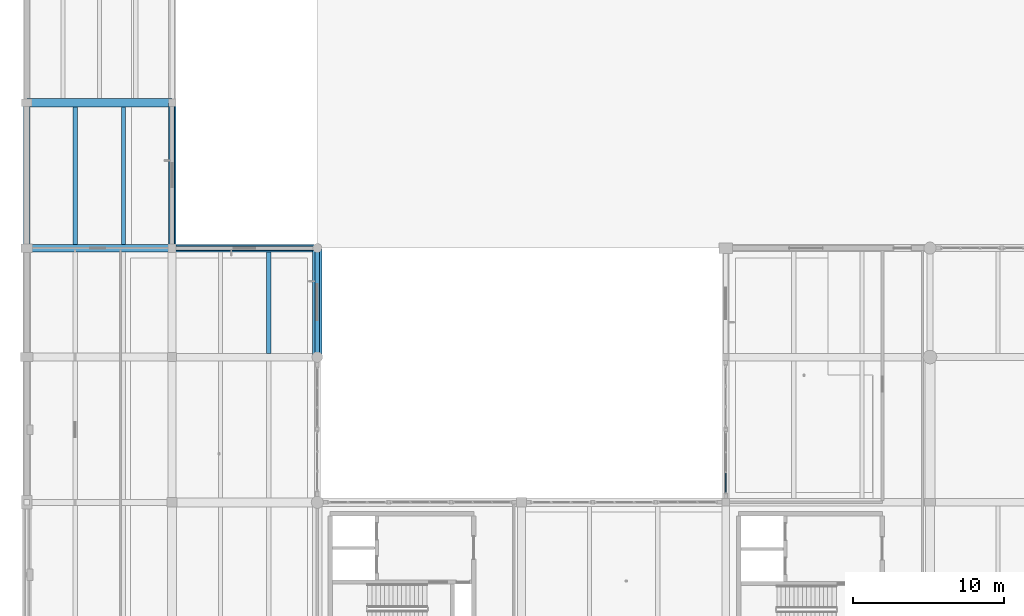
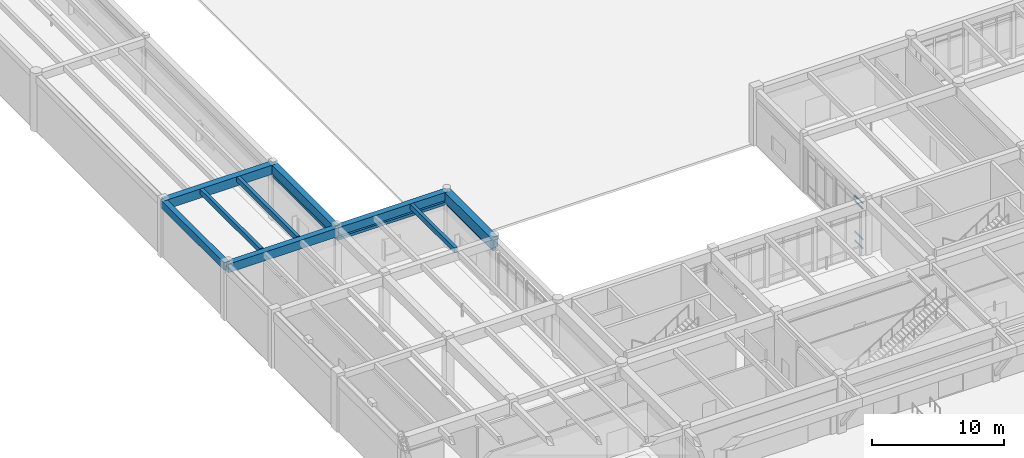
# One storey, part 12 of 138: 12 beams, 4 members, 1 element without a shape of its own.
"""IFC4 building model written with IfcOpenShell, lengths in metres."""

import ifcopenshell
import ifcopenshell.guid

model = None  # the IFC model being written
_history = None  # IfcOwnerHistory: only IFC2X3 demands one
_inside = {}  # id of a spatial element -> (the spatial element, [elements in it])
_under = {}  # id of a project, library or spatial element -> (it, [spatial elements below it])
_declared = {}  # id of a project -> (the project, [libraries it declares])
_typed = {}  # id of a type object -> (the type object, [elements of that type])
_made_of = {}  # id of a material, layer set ... -> (it, [elements and type objects made of it])


def new_model(schema):
    """Start an empty IFC model of exactly this schema.

    Asked for "IFC4X3", IfcOpenShell would pick the latest addendum, in which some entities
    have other attributes; the version numbers below select the first issue.
    IFC2X3 requires an IfcOwnerHistory on every rooted entity: one is made here for all.
    """
    global model, _history
    if schema == "IFC4X3":
        model = ifcopenshell.file(schema_version=(4, 3, 0, 0))
    else:
        model = ifcopenshell.file(schema=schema)
    _inside.clear()
    _under.clear()
    _declared.clear()
    _typed.clear()
    _made_of.clear()
    _history = None
    if model.schema == "IFC2X3":
        org = make("IfcOrganization", Name="unknown")
        user = make(
            "IfcPersonAndOrganization",
            ThePerson=make("IfcPerson", FamilyName="unknown"),
            TheOrganization=org,
        )
        app = make(
            "IfcApplication",
            ApplicationDeveloper=org,
            Version="unknown",
            ApplicationFullName="unknown",
            ApplicationIdentifier="unknown",
        )
        _history = make(
            "IfcOwnerHistory",
            OwningUser=user,
            OwningApplication=app,
            ChangeAction="ADDED",
            CreationDate=0,
        )
    return model


def make(cls, **values):
    """One entity of the class cls with the attributes given. An attribute that is None is left unset."""
    return model.create_entity(
        cls, **{name: value for name, value in values.items() if value is not None}
    )


def rooted(cls, **values):
    """An entity with a GlobalId (a new one), such as an element, a storey or a relation."""
    return make(cls, GlobalId=ifcopenshell.guid.new(), OwnerHistory=_history, **values)


def si_unit(unit_type, name, prefix=None):
    """IfcSIUnit, for example si_unit("LENGTHUNIT", "METRE", prefix="MILLI")."""
    return make("IfcSIUnit", UnitType=unit_type, Prefix=prefix, Name=name)


def assignment(units):
    """IfcUnitAssignment: the units of a project."""
    return None if units is None else make("IfcUnitAssignment", Units=units)


def point(xyz):
    """IfcCartesianPoint."""
    return None if xyz is None else make("IfcCartesianPoint", Coordinates=xyz)


def direction(xyz):
    """IfcDirection."""
    return None if xyz is None else make("IfcDirection", DirectionRatios=xyz)


def frame(location, z_axis=None, x_axis=None):
    """IfcAxis2Placement3D, a coordinate frame: its origin and axes. An axis left out is left unset."""
    return make(
        "IfcAxis2Placement3D",
        Location=point(location),
        Axis=direction(z_axis),
        RefDirection=direction(x_axis),
    )


def frame_2d(location, x_axis=None):
    """IfcAxis2Placement2D, a coordinate frame in the plane: its origin and x axis."""
    return make(
        "IfcAxis2Placement2D", Location=point(location), RefDirection=direction(x_axis)
    )


def origin():
    """The frame at (0, 0, 0) with its axes left unset."""
    return frame((0.0, 0.0, 0.0))


def origin_2d():
    """The frame at (0, 0) in the plane with its x axis left unset."""
    return frame_2d((0.0, 0.0))


def place(relative_to, where):
    """IfcLocalPlacement: puts the frame where relative to a parent placement (None: the world)."""
    return make(
        "IfcLocalPlacement", PlacementRelTo=relative_to, RelativePlacement=where
    )


def context(
    kind, dimensions, precision=None, world=None, true_north=None, identifier=None
):
    """IfcGeometricRepresentationContext, for example the 3D "Model" context."""
    return make(
        "IfcGeometricRepresentationContext",
        ContextIdentifier=identifier,
        ContextType=kind,
        CoordinateSpaceDimension=dimensions,
        Precision=precision,
        WorldCoordinateSystem=world,
        TrueNorth=true_north,
    )


def subcontext(parent, identifier, kind, view, scale=None):
    """IfcGeometricRepresentationSubContext, for example "Body" below "Model"."""
    return make(
        "IfcGeometricRepresentationSubContext",
        ContextIdentifier=identifier,
        ContextType=kind,
        ParentContext=parent,
        TargetScale=scale,
        TargetView=view,
    )


def project(units=None, contexts=None):
    """IfcProject with its units and contexts."""
    return rooted(
        "IfcProject",
        Name="project",
        RepresentationContexts=contexts,
        UnitsInContext=assignment(units),
    )


def spatial(cls, under=None, at=None, **own):
    """A site, building, storey or space (cls), placed at a placement, below another one or the project."""
    s = rooted(cls, ObjectPlacement=at, **own)
    if under is not None:
        _under.setdefault(under.id(), (under, []))[1].append(s)
    return s


def profile(cls, at=None, kind="AREA", **sizes):
    """A parametric profile (cls). Its sizes go by their IFC names, for example OverallWidth=200.0."""
    return make(cls, ProfileType=kind, Position=at, **sizes)


def rectangle(**sizes):
    """IfcRectangleProfileDef."""
    return profile("IfcRectangleProfileDef", **sizes)


def hollow_rectangle(**sizes):
    """IfcRectangleHollowProfileDef."""
    return profile("IfcRectangleHollowProfileDef", **sizes)


def extrude(swept, where, along, depth):
    """IfcExtrudedAreaSolid: the profile swept, set in the frame where, extruded along a direction by depth."""
    return make(
        "IfcExtrudedAreaSolid",
        SweptArea=swept,
        Position=where,
        ExtrudedDirection=direction(along),
        Depth=depth,
    )


def shape(context_of_items, identifier, shape_type, items):
    """IfcShapeRepresentation: the items that make up one representation, for example the "Body"."""
    return make(
        "IfcShapeRepresentation",
        ContextOfItems=context_of_items,
        RepresentationIdentifier=identifier,
        RepresentationType=shape_type,
        Items=items,
    )


def material(Name=None, Category=None):
    """IfcMaterial."""
    return make("IfcMaterial", Name=Name, Category=Category)


def layer(
    of_material, thickness, ventilated=None, Name=None, Category=None, Priority=None
):
    """IfcMaterialLayer: one layer of a wall or slab, of a material (None: an air gap)."""
    return make(
        "IfcMaterialLayer",
        Material=of_material,
        LayerThickness=thickness,
        IsVentilated=ventilated,
        Name=Name,
        Category=Category,
        Priority=Priority,
    )


def layer_set(layers, Name=None):
    """IfcMaterialLayerSet."""
    return make("IfcMaterialLayerSet", MaterialLayers=layers, LayerSetName=Name)


def material_profile(
    of_material, cross_section, Name=None, Category=None, Priority=None
):
    """IfcMaterialProfile: a cross section and its material."""
    return make(
        "IfcMaterialProfile",
        Name=Name,
        Material=of_material,
        Profile=cross_section,
        Priority=Priority,
        Category=Category,
    )


def profile_set(profiles, Name=None, composite=None):
    """IfcMaterialProfileSet."""
    return make(
        "IfcMaterialProfileSet",
        Name=Name,
        MaterialProfiles=profiles,
        CompositeProfile=composite,
    )


def made_of(thing, what):
    """Note that an element or type object is made of a material, layer set ...; save() writes the relation."""
    if what is not None:
        _made_of.setdefault(what.id(), (what, []))[1].append(thing)
    return thing


def type_object(cls, material=None, **own):
    """A type object (cls), such as IfcWallType, which elements share."""
    return made_of(rooted(cls, **own), material)


def element(
    cls,
    number,
    at=None,
    inside=None,
    cuts=None,
    type_object=None,
    material=None,
    context=None,
    identifier="Body",
    shape_type=None,
    held_by="IfcProductDefinitionShape",
    body=None,
    shapes=None,
    **own,
):
    """One element of the class cls, such as IfcWall. Its Tag is "e" and its number.

    at: its placement. inside: the storey or other place that contains it. cuts: it is an
    opening in that element (IfcRelVoidsElement). A single representation is given by context,
    identifier, shape_type and body (its items); several are given by shapes. held_by: the class
    of the entity that holds the representations. save() writes the other relations.
    """
    e = rooted(cls, Tag="e%d" % number, ObjectPlacement=at, **own)
    if body is not None:
        shapes = [shape(context, identifier, shape_type, body)]
    if shapes is not None:
        e.Representation = make(held_by, Representations=shapes)
    if inside is not None:
        _inside.setdefault(inside.id(), (inside, []))[1].append(e)
    if cuts is not None:
        rooted(
            "IfcRelVoidsElement", RelatingBuildingElement=cuts, RelatedOpeningElement=e
        )
    if type_object is not None:
        _typed.setdefault(type_object.id(), (type_object, []))[1].append(e)
    return made_of(e, material)


def aggregate(whole, parts):
    """IfcRelAggregates: a whole, such as a stair, and the parts it consists of."""
    return rooted("IfcRelAggregates", RelatingObject=whole, RelatedObjects=parts)


def save(model, path):
    """Write the relations noted so far, then the file.

    IfcRelAggregates (storeys below a building ...), IfcRelContainedInSpatialStructure (elements
    in a storey), IfcRelDefinesByType, IfcRelAssociatesMaterial and IfcRelDeclares: one each for
    every whole, place, type object, material and project.
    """
    for whole, parts in _under.values():
        aggregate(whole, parts)
    for where, things in _inside.values():
        rooted(
            "IfcRelContainedInSpatialStructure",
            RelatedElements=things,
            RelatingStructure=where,
        )
    for kind, things in _typed.values():
        rooted("IfcRelDefinesByType", RelatedObjects=things, RelatingType=kind)
    for what, things in _made_of.values():
        rooted("IfcRelAssociatesMaterial", RelatedObjects=things, RelatingMaterial=what)
    for by, libraries in _declared.values():
        rooted("IfcRelDeclares", RelatingContext=by, RelatedDefinitions=libraries)
    model.write(path)


model = new_model("IFC4")

# Units and contexts
model_context = context("Model", 3, precision=1e-05, world=origin(), true_north=direction((0.0, 1.0)))
body_context = subcontext(model_context, "Body", "Model", "MODEL_VIEW")
ifc_project = project(units=[si_unit("LENGTHUNIT", "METRE"), si_unit("AREAUNIT", "SQUARE_METRE"), si_unit("VOLUMEUNIT", "CUBIC_METRE"), si_unit("PLANEANGLEUNIT", "RADIAN"), si_unit("MASSUNIT", "GRAM", prefix="KILO")], contexts=[model_context])

# Site, building, storey
site_placement = place(None, origin())
site = spatial("IfcSite", under=ifc_project, at=site_placement, CompositionType="ELEMENT")
building_placement = place(site_placement, origin())
building = spatial("IfcBuilding", under=site, at=building_placement, Name="Fikremerkos Civic Library", CompositionType="ELEMENT")
storey_placement = place(building_placement, origin())
storey = spatial("IfcBuildingStorey", under=building, at=storey_placement, Name="L00", CompositionType="ELEMENT", Elevation=0.0)

# Curtain wall, members
ifc_material_1 = material(Name="Anodized aluminium Frame", Category="aluminium")
ifc_layer = layer(ifc_material_1, 0.159912109375, Name="Anodized aluminium Frame")
ifc_layer_set = layer_set([ifc_layer], Name="Anodized aluminium Frame")
curtain_wall_type = type_object("IfcCurtainWallType", Name="Unitised curtain wall CW-12 4300x3400", PredefinedType="USERDEFINED", material=ifc_layer_set)
curtain_wall_placement = place(storey_placement, origin())
curtain_wall = element("IfcCurtainWall", 1, at=curtain_wall_placement, inside=storey, type_object=curtain_wall_type, Name="Unitised curtain wall CW-12 L00 #12", ObjectType="UNITISED CURTAIN WALL", PredefinedType="USERDEFINED")
ifc_material_profile_1 = material_profile(ifc_material_1, hollow_rectangle(XDim=0.06494140625, YDim=0.135009765625, WallThickness=0.00439453125, at=origin_2d()), Name="ALU 135x65x4.5")
ifc_profile_set_1 = profile_set([ifc_material_profile_1], Name="Anodized aluminium Frame")
member_type = type_object("IfcMemberType", Name="Curtain transom CWT-02 ALU 135x65x4.5", PredefinedType="USERDEFINED", material=ifc_profile_set_1)
member_1_placement = place(storey_placement, frame((46.199951171875, 31.85791015625, 0.032470703125), z_axis=(0.0, 1.0, 0.0), x_axis=(-1.0, 0.0, 0.0)))
member_1 = element("IfcMember", 2, at=member_1_placement, type_object=member_type, Name="CW-12 transom 1.1", ObjectType="TRANSOM", PredefinedType="USERDEFINED", context=body_context, shape_type="SweptSolid", body=[
    extrude(hollow_rectangle(XDim=0.06494140625, YDim=0.135009765625, WallThickness=0.00439453125, at=origin_2d()), origin(), (0.0, 0.0, 1.0), 1.264892578125),
])
member_2_placement = place(storey_placement, frame((46.199951171875, 31.85791015625, 0.85009765625), z_axis=(0.0, 1.0, 0.0), x_axis=(-1.0, 0.0, 0.0)))
member_2 = element("IfcMember", 3, at=member_2_placement, type_object=member_type, Name="CW-12 transom 1.2", ObjectType="TRANSOM", PredefinedType="USERDEFINED", context=body_context, shape_type="SweptSolid", body=[
    extrude(hollow_rectangle(XDim=0.06494140625, YDim=0.135009765625, WallThickness=0.00439453125, at=origin_2d()), origin(), (0.0, 0.0, 1.0), 1.264892578125),
])
member_3_placement = place(storey_placement, frame((46.199951171875, 31.85791015625, 3.669921875), z_axis=(0.0, 1.0, 0.0), x_axis=(-1.0, 0.0, 0.0)))
member_3 = element("IfcMember", 4, at=member_3_placement, type_object=member_type, Name="CW-12 transom 1.3", ObjectType="TRANSOM", PredefinedType="USERDEFINED", context=body_context, shape_type="SweptSolid", body=[
    extrude(hollow_rectangle(XDim=0.06494140625, YDim=0.135009765625, WallThickness=0.00439453125, at=origin_2d()), origin(), (0.0, 0.0, 1.0), 1.264892578125),
])
member_4_placement = place(storey_placement, frame((46.199951171875, 31.85791015625, 4.1875), z_axis=(0.0, 1.0, 0.0), x_axis=(-1.0, 0.0, 0.0)))
member_4 = element("IfcMember", 5, at=member_4_placement, type_object=member_type, Name="CW-12 transom 1.4", ObjectType="TRANSOM", PredefinedType="USERDEFINED", context=body_context, shape_type="SweptSolid", body=[
    extrude(hollow_rectangle(XDim=0.06494140625, YDim=0.135009765625, WallThickness=0.00439453125, at=origin_2d()), origin(), (0.0, 0.0, 1.0), 1.264892578125),
])
aggregate(curtain_wall, [member_1, member_2, member_3, member_4])

# Beams
ifc_material_2 = material(Name="Concrete C40/50", Category="concrete")
ifc_material_profile_2 = material_profile(ifc_material_2, rectangle(XDim=0.280029296875, YDim=0.47998046875, at=origin_2d()), Name="RC 280x480")
ifc_profile_set_2 = profile_set([ifc_material_profile_2], Name="Concrete C40/50")
beam_type_1 = type_object("IfcBeamType", Name="Floor joist JS-04 RC 280x480", PredefinedType="JOIST", material=ifc_profile_set_2)
for number, where, z_axis, x_axis, name in (
    (6, (3.199951171875, 48.25, 4.919921875), (0.0, 1.0, 0.0), (-1.0, 0.0, 0.0), "Floor joist JS-04 L00 #279"),
    (7, (6.39990234375, 48.25, 4.919921875), (0.0, 1.0, 0.0), (-1.0, 0.0, 0.0), "Floor joist JS-04 L00 #280"),
):
    element("IfcBeam", number, at=place(storey_placement, frame(where, z_axis=z_axis, x_axis=x_axis)), inside=storey, type_object=beam_type_1, Name=name, PredefinedType="JOIST", context=body_context, shape_type="SweptSolid", body=[
        extrude(rectangle(XDim=0.280029296875, YDim=0.47998046875, at=origin_2d()), origin(), (0.0, 0.0, 1.0), 9.074951171875),
    ])
beam_1_placement = place(storey_placement, frame((16.0, 41.050048828125, 4.860107421875), z_axis=(0.0, 1.0, 0.0), x_axis=(-1.0, 0.0, 0.0)))
element("IfcBeam", 8, at=beam_1_placement, inside=storey, type_object=beam_type_1, Name="Floor joist JS-04 L00 #299", PredefinedType="JOIST", context=body_context, shape_type="SweptSolid", body=[
    extrude(rectangle(XDim=0.280029296875, YDim=0.47998046875, at=origin_2d()), origin(), (0.0, 0.0, 1.0), 6.699951171875),
])
ifc_material_profile_3 = material_profile(ifc_material_2, rectangle(XDim=0.300048828125, YDim=0.260009765625, at=origin_2d()), Name="RC 300x260")
ifc_profile_set_3 = profile_set([ifc_material_profile_3], Name="Concrete C40/50")
beam_type_2 = type_object("IfcBeamType", Name="Opening lintel LNT-02 RC 300x260", PredefinedType="LINTEL", material=ifc_profile_set_3)
beam_2_placement = place(storey_placement, frame((9.60009765625, 57.60009765625, 4.090087890625), z_axis=(0.0, -1.0, 0.0), x_axis=(1.0, 0.0, 0.0)))
element("IfcBeam", 9, at=beam_2_placement, inside=storey, type_object=beam_type_2, Name="Courtyard window head lintel LNT-02 L00 #5", PredefinedType="LINTEL", context=body_context, shape_type="SweptSolid", body=[
    extrude(rectangle(XDim=0.300048828125, YDim=0.260009765625, at=origin_2d()), origin(), (0.0, 0.0, 1.0), 9.60009765625),
])
beam_3_placement = place(storey_placement, frame((9.60009765625, 48.0, 3.989990234375), z_axis=(1.0, 0.0, 0.0), x_axis=(0.0, 1.0, 0.0)))
element("IfcBeam", 10, at=beam_3_placement, inside=storey, type_object=beam_type_2, Name="Courtyard window head lintel LNT-02 L00 #6", PredefinedType="LINTEL", context=body_context, shape_type="SweptSolid", body=[
    extrude(rectangle(XDim=0.300048828125, YDim=0.260009765625, at=origin_2d()), origin(), (0.0, 0.0, 1.0), 9.599853515625),
])
beam_4_placement = place(storey_placement, frame((19.199951171875, 48.0, 3.989990234375), z_axis=(0.0, -1.0, 0.0), x_axis=(1.0, 0.0, 0.0)))
element("IfcBeam", 11, at=beam_4_placement, inside=storey, type_object=beam_type_2, Name="Courtyard window head lintel LNT-02 L00 #7", PredefinedType="LINTEL", context=body_context, shape_type="SweptSolid", body=[
    extrude(rectangle(XDim=0.300048828125, YDim=0.260009765625, at=origin_2d()), origin(), (0.0, 0.0, 1.0), 7.199951171875),
])
ifc_material_profile_4 = material_profile(ifc_material_2, rectangle(XDim=0.60009765625, YDim=0.949951171875, at=origin_2d()), Name="RC 600x950")
ifc_profile_set_4 = profile_set([ifc_material_profile_4], Name="Concrete C40/50")
beam_type_3 = type_object("IfcBeamType", Name="Primary girder BM-01 RC 600x950", PredefinedType="BEAM", material=ifc_profile_set_4)
beam_5_placement = place(storey_placement, frame((19.199951171875, 40.800048828125, 4.625), z_axis=(0.0, 1.0, 0.0), x_axis=(-1.0, 0.0, 0.0)))
element("IfcBeam", 12, at=beam_5_placement, inside=storey, type_object=beam_type_3, Name="Primary girder BM-01 L00 grid 3", PredefinedType="BEAM", context=body_context, shape_type="SweptSolid", body=[
    extrude(rectangle(XDim=0.60009765625, YDim=0.949951171875, at=origin_2d()), origin(), (0.0, 0.0, 1.0), 7.199951171875),
])
ifc_material_profile_5 = material_profile(ifc_material_2, rectangle(XDim=0.550048828125, YDim=0.85009765625, at=origin_2d()), Name="RC 550x850")
ifc_profile_set_5 = profile_set([ifc_material_profile_5], Name="Concrete C40/50")
beam_type_4 = type_object("IfcBeamType", Name="Primary girder BM-03 RC 550x850", PredefinedType="BEAM", material=ifc_profile_set_5)
beam_6_placement = place(storey_placement, frame((0.0, 57.60009765625, 4.735107421875), z_axis=(1.0, 0.0, 0.0), x_axis=(0.0, 1.0, 0.0)))
element("IfcBeam", 13, at=beam_6_placement, inside=storey, type_object=beam_type_4, Name="Primary girder BM-03 L00 grid K", PredefinedType="BEAM", context=body_context, shape_type="SweptSolid", body=[
    extrude(rectangle(XDim=0.550048828125, YDim=0.85009765625, at=origin_2d()), origin(), (0.0, 0.0, 1.0), 9.60009765625),
])
ifc_material_profile_6 = material_profile(ifc_material_2, rectangle(XDim=0.5, YDim=0.800048828125, at=origin_2d()), Name="RC 500x800")
ifc_profile_set_6 = profile_set([ifc_material_profile_6], Name="Concrete C40/50")
beam_type_5 = type_object("IfcBeamType", Name="Primary girder BM-04 RC 500x800", PredefinedType="BEAM", material=ifc_profile_set_6)
for number, where, z_axis, x_axis, name in (
    (14, (0.0, 48.0, 4.699951171875), (1.0, 0.0, 0.0), (0.0, 1.0, 0.0), "Primary girder BM-04 L00 grid J"),
    (15, (9.60009765625, 48.0, 4.760009765625), (0.0, 1.0, 0.0), (-1.0, 0.0, 0.0), "Primary girder BM-04 L00 grid 2"),
):
    element("IfcBeam", number, at=place(storey_placement, frame(where, z_axis=z_axis, x_axis=x_axis)), inside=storey, type_object=beam_type_5, Name=name, PredefinedType="BEAM", context=body_context, shape_type="SweptSolid", body=[
        extrude(rectangle(XDim=0.5, YDim=0.800048828125, at=origin_2d()), origin(), (0.0, 0.0, 1.0), 9.60009765625),
    ])
ifc_material_profile_7 = material_profile(ifc_material_2, rectangle(XDim=0.5, YDim=0.75, at=origin_2d()), Name="RC 500x750")
ifc_profile_set_7 = profile_set([ifc_material_profile_7], Name="Concrete C40/50")
beam_type_6 = type_object("IfcBeamType", Name="Primary girder BM-05 RC 500x750", PredefinedType="BEAM", material=ifc_profile_set_7)
beam_7_placement = place(storey_placement, frame((9.60009765625, 48.0, 4.72509765625), z_axis=(1.0, 0.0, 0.0), x_axis=(0.0, 1.0, 0.0)))
element("IfcBeam", 16, at=beam_7_placement, inside=storey, type_object=beam_type_6, Name="Primary girder BM-05 L00 grid J", PredefinedType="BEAM", context=body_context, shape_type="SweptSolid", body=[
    extrude(rectangle(XDim=0.5, YDim=0.75, at=origin_2d()), origin(), (0.0, 0.0, 1.0), 9.599853515625),
])
ifc_material_profile_8 = material_profile(ifc_material_2, rectangle(XDim=0.449951171875, YDim=0.699951171875, at=origin_2d()), Name="RC 450x700")
ifc_profile_set_8 = profile_set([ifc_material_profile_8], Name="Concrete C40/50")
beam_type_7 = type_object("IfcBeamType", Name="Primary girder BM-06 RC 450x700", PredefinedType="BEAM", material=ifc_profile_set_8)
beam_8_placement = place(storey_placement, frame((0.0, 48.0, 4.81005859375), z_axis=(0.0, 1.0, 0.0), x_axis=(-1.0, 0.0, 0.0)))
element("IfcBeam", 17, at=beam_8_placement, inside=storey, type_object=beam_type_7, Name="Primary girder BM-06 L00 grid 1", PredefinedType="BEAM", context=body_context, shape_type="SweptSolid", body=[
    extrude(rectangle(XDim=0.449951171875, YDim=0.699951171875, at=origin_2d()), origin(), (0.0, 0.0, 1.0), 9.60009765625),
])

save(model, "model.ifc")
